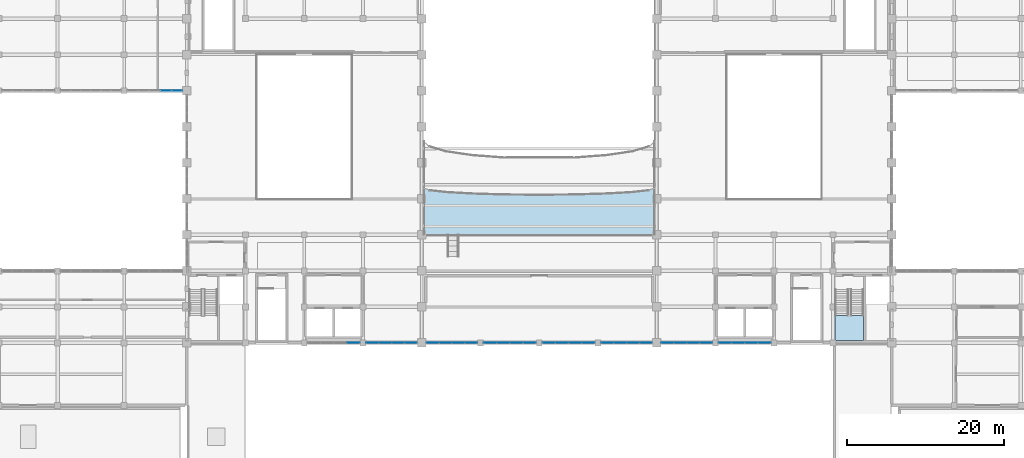
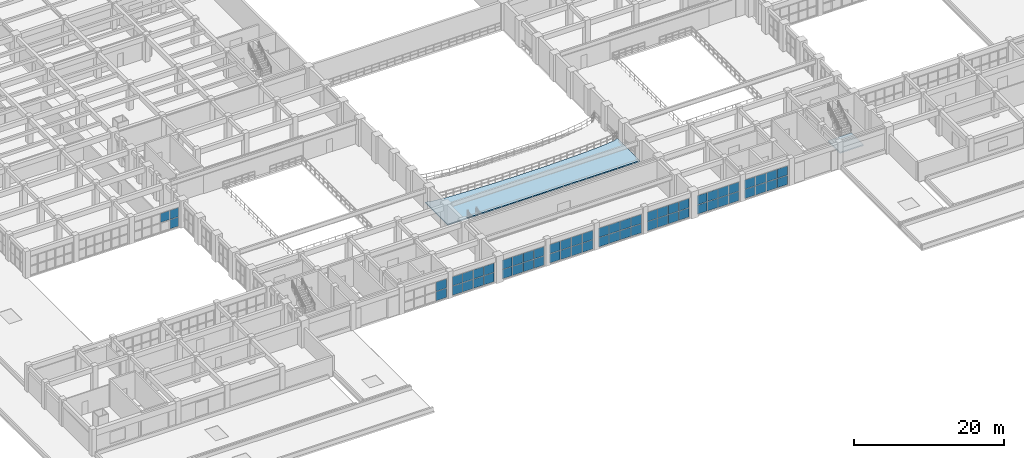
# One storey, part 56 of 90: 61 plates, 2 slabs, 10 elements without a shape of their own.
"""IFC4 building model written with IfcOpenShell, lengths in metres."""

from ifc_helpers import new_model, si_unit, direction, frame, origin, origin_2d, place, context, subcontext, project, spatial, polyline, rectangle, outline, extrude, material, layer, layer_set, type_object, element, aggregate, save


model = new_model("IFC4")

# Units and contexts
model_context = context("Model", 3, precision=1e-05, world=origin(), true_north=direction((0.0, 1.0)))
body_context = subcontext(model_context, "Body", "Model", "MODEL_VIEW")
ifc_project = project(units=[si_unit("LENGTHUNIT", "METRE"), si_unit("AREAUNIT", "SQUARE_METRE"), si_unit("VOLUMEUNIT", "CUBIC_METRE"), si_unit("PLANEANGLEUNIT", "RADIAN"), si_unit("MASSUNIT", "GRAM", prefix="KILO")], contexts=[model_context])

# Site, building, storey
site_placement = place(None, origin())
site = spatial("IfcSite", under=ifc_project, at=site_placement, CompositionType="ELEMENT")
building_placement = place(site_placement, origin())
building = spatial("IfcBuilding", under=site, at=building_placement, Name="Muzn Square Opera House", CompositionType="ELEMENT")
storey_placement = place(building_placement, frame((0.0, 0.0, 9.800048828125)))
storey = spatial("IfcBuildingStorey", under=building, at=storey_placement, Name="L02", CompositionType="ELEMENT", Elevation=9.800048828125)

# Slab
ifc_material_1 = material(Name="Concrete C40/50", Category="concrete")
ifc_layer_1 = layer(ifc_material_1, 0.199951171875, Name="Concrete C40/50", Category="concrete")
ifc_layer_set_1 = layer_set([ifc_layer_1], Name="Concrete C40/50")
slab_type_1 = type_object("IfcSlabType", Name="Auditorium Seating Tier 200mm", PredefinedType="USERDEFINED", material=ifc_layer_set_1)
slab_1_placement = place(storey_placement, frame((0.0, 0.0, 0.52001953125)))
element("IfcSlab", 1, at=slab_1_placement, inside=storey, type_object=slab_type_1, Name="Opera Hall Upper Circle Seating Tier 1", ObjectType="SEATING TIER", PredefinedType="USERDEFINED", context=body_context, shape_type="SweptSolid", body=[
    extrude(outline(polyline([(73.2099609375, 35.800048828125), (102.7900390625, 35.800048828125), (102.7900390625, 41.800048828125), (102.066162109375, 41.537353515625), (99.96533203125, 41.30029296875), (96.693359375, 41.1123046875), (92.5703125, 40.99169921875), (88.0, 40.949951171875), (83.4296875, 40.99169921875), (79.306640625, 41.1123046875), (76.03466796875, 41.30029296875), (73.933837890625, 41.537353515625), (73.2099609375, 41.800048828125), (73.2099609375, 35.800048828125)])), origin(), (0.0, 0.0, 1.0), 0.199951171875),
])

# Curtain wall, plates
ifc_material_2 = material(Name="Low-E laminated acoustic double glazing", Category="glass")
ifc_layer_2 = layer(ifc_material_2, 0.159912109375, Name="Low-E laminated acoustic double glazing", Category="glass")
ifc_layer_set_2 = layer_set([ifc_layer_2], Name="Low-E laminated acoustic double glazing")
curtain_wall_type_1 = type_object("IfcCurtainWallType", Name="Glazed Curtain Wall Forecourt 6750x3150", PredefinedType="USERDEFINED", material=ifc_layer_set_2)
curtain_wall_1_placement = place(storey_placement, origin())
curtain_wall_1 = element("IfcCurtainWall", 2, at=curtain_wall_1_placement, inside=storey, type_object=curtain_wall_type_1, Name="Glazed Curtain Wall CW-L02-011", ObjectType="GLAZED CURTAIN WALL", PredefinedType="USERDEFINED")
ifc_layer_3 = layer(ifc_material_2, 0.028076171875, Name="Low-E laminated acoustic double glazing", Category="glass")
ifc_layer_set_3 = layer_set([ifc_layer_3], Name="Low-E laminated acoustic double glazing")
plate_type = type_object("IfcPlateType", Name="Curtain Wall Acoustic Glazed Panel 28mm", PredefinedType="CURTAIN_PANEL", material=ifc_layer_set_3)
plate_1_placement = place(storey_placement, frame((64.266357421875, 22.0, 0.06005859375), z_axis=(0.0, 0.0, 1.0), x_axis=(1.0, 0.0, 0.0)))
plate_1 = element("IfcPlate", 3, at=plate_1_placement, type_object=plate_type, Name="CW-FC-67x31 panel 4.1", PredefinedType="CURTAIN_PANEL", context=body_context, shape_type="SweptSolid", body=[
    extrude(rectangle(XDim=1.597412109375, YDim=0.028076171875, at=origin_2d()), origin(), (0.0, 0.0, 1.0), 1.485107421875),
])
plate_2_placement = place(storey_placement, frame((64.266357421875, 22.0, 1.60498046875), z_axis=(0.0, 0.0, 1.0), x_axis=(1.0, 0.0, 0.0)))
plate_2 = element("IfcPlate", 4, at=plate_2_placement, type_object=plate_type, Name="CW-FC-67x31 panel 4.2", PredefinedType="CURTAIN_PANEL", context=body_context, shape_type="SweptSolid", body=[
    extrude(rectangle(XDim=1.597412109375, YDim=0.028076171875, at=origin_2d()), origin(), (0.0, 0.0, 1.0), 1.485107421875),
])
aggregate(curtain_wall_1, [plate_1, plate_2])

ifc_layer_4 = layer(ifc_material_2, 0.159912109375, Name="Low-E laminated acoustic double glazing", Category="glass")
ifc_layer_set_4 = layer_set([ifc_layer_4], Name="Low-E laminated acoustic double glazing")
curtain_wall_type_2 = type_object("IfcCurtainWallType", Name="Glazed Curtain Wall Forecourt 6575x3150", PredefinedType="USERDEFINED", material=ifc_layer_set_4)
curtain_wall_2_placement = place(storey_placement, origin())
curtain_wall_2 = element("IfcCurtainWall", 5, at=curtain_wall_2_placement, inside=storey, type_object=curtain_wall_type_2, Name="Glazed Curtain Wall CW-L02-012", ObjectType="GLAZED CURTAIN WALL", PredefinedType="USERDEFINED")
plate_3_placement = place(storey_placement, frame((66.7119140625, 22.0, 0.06005859375), z_axis=(0.0, 0.0, 1.0), x_axis=(1.0, 0.0, 0.0)))
plate_3 = element("IfcPlate", 6, at=plate_3_placement, type_object=plate_type, Name="CW-FC-65x31 panel 1.1", PredefinedType="CURTAIN_PANEL", context=body_context, shape_type="SweptSolid", body=[
    extrude(rectangle(XDim=1.5537109375, YDim=0.028076171875, at=origin_2d()), origin(), (0.0, 0.0, 1.0), 1.485107421875),
])
plate_4_placement = place(storey_placement, frame((66.7119140625, 22.0, 1.60498046875), z_axis=(0.0, 0.0, 1.0), x_axis=(1.0, 0.0, 0.0)))
plate_4 = element("IfcPlate", 7, at=plate_4_placement, type_object=plate_type, Name="CW-FC-65x31 panel 1.2", PredefinedType="CURTAIN_PANEL", context=body_context, shape_type="SweptSolid", body=[
    extrude(rectangle(XDim=1.5537109375, YDim=0.028076171875, at=origin_2d()), origin(), (0.0, 0.0, 1.0), 1.485107421875),
])
plate_5_placement = place(storey_placement, frame((68.340576171875, 22.0, 0.06005859375), z_axis=(0.0, 0.0, 1.0), x_axis=(1.0, 0.0, 0.0)))
plate_5 = element("IfcPlate", 8, at=plate_5_placement, type_object=plate_type, Name="CW-FC-65x31 panel 2.1", PredefinedType="CURTAIN_PANEL", context=body_context, shape_type="SweptSolid", body=[
    extrude(rectangle(XDim=1.583740234375, YDim=0.028076171875, at=origin_2d()), origin(), (0.0, 0.0, 1.0), 1.485107421875),
])
plate_6_placement = place(storey_placement, frame((68.340576171875, 22.0, 1.60498046875), z_axis=(0.0, 0.0, 1.0), x_axis=(1.0, 0.0, 0.0)))
plate_6 = element("IfcPlate", 9, at=plate_6_placement, type_object=plate_type, Name="CW-FC-65x31 panel 2.2", PredefinedType="CURTAIN_PANEL", context=body_context, shape_type="SweptSolid", body=[
    extrude(rectangle(XDim=1.583740234375, YDim=0.028076171875, at=origin_2d()), origin(), (0.0, 0.0, 1.0), 1.485107421875),
])
plate_7_placement = place(storey_placement, frame((69.984375, 22.0, 0.06005859375), z_axis=(0.0, 0.0, 1.0), x_axis=(1.0, 0.0, 0.0)))
plate_7 = element("IfcPlate", 10, at=plate_7_placement, type_object=plate_type, Name="CW-FC-65x31 panel 3.1", PredefinedType="CURTAIN_PANEL", context=body_context, shape_type="SweptSolid", body=[
    extrude(rectangle(XDim=1.583740234375, YDim=0.028076171875, at=origin_2d()), origin(), (0.0, 0.0, 1.0), 1.485107421875),
])
plate_8_placement = place(storey_placement, frame((69.984375, 22.0, 1.60498046875), z_axis=(0.0, 0.0, 1.0), x_axis=(1.0, 0.0, 0.0)))
plate_8 = element("IfcPlate", 11, at=plate_8_placement, type_object=plate_type, Name="CW-FC-65x31 panel 3.2", PredefinedType="CURTAIN_PANEL", context=body_context, shape_type="SweptSolid", body=[
    extrude(rectangle(XDim=1.583740234375, YDim=0.028076171875, at=origin_2d()), origin(), (0.0, 0.0, 1.0), 1.485107421875),
])
plate_9_placement = place(storey_placement, frame((71.613037109375, 22.0, 0.06005859375), z_axis=(0.0, 0.0, 1.0), x_axis=(1.0, 0.0, 0.0)))
plate_9 = element("IfcPlate", 12, at=plate_9_placement, type_object=plate_type, Name="CW-FC-65x31 panel 4.1", PredefinedType="CURTAIN_PANEL", context=body_context, shape_type="SweptSolid", body=[
    extrude(rectangle(XDim=1.5537109375, YDim=0.028076171875, at=origin_2d()), origin(), (0.0, 0.0, 1.0), 1.485107421875),
])
plate_10_placement = place(storey_placement, frame((71.613037109375, 22.0, 1.60498046875), z_axis=(0.0, 0.0, 1.0), x_axis=(1.0, 0.0, 0.0)))
plate_10 = element("IfcPlate", 13, at=plate_10_placement, type_object=plate_type, Name="CW-FC-65x31 panel 4.2", PredefinedType="CURTAIN_PANEL", context=body_context, shape_type="SweptSolid", body=[
    extrude(rectangle(XDim=1.5537109375, YDim=0.028076171875, at=origin_2d()), origin(), (0.0, 0.0, 1.0), 1.485107421875),
])
aggregate(curtain_wall_2, [plate_3, plate_4, plate_5, plate_6, plate_7, plate_8, plate_9, plate_10])

curtain_wall_3_placement = place(storey_placement, origin())
curtain_wall_3 = element("IfcCurtainWall", 14, at=curtain_wall_3_placement, inside=storey, type_object=curtain_wall_type_2, Name="Glazed Curtain Wall CW-L02-013", ObjectType="GLAZED CURTAIN WALL", PredefinedType="USERDEFINED")
plate_11_placement = place(storey_placement, frame((74.386962890625, 22.0, 0.06005859375), z_axis=(0.0, 0.0, 1.0), x_axis=(1.0, 0.0, 0.0)))
plate_11 = element("IfcPlate", 15, at=plate_11_placement, type_object=plate_type, Name="CW-FC-65x31 panel 1.1", PredefinedType="CURTAIN_PANEL", context=body_context, shape_type="SweptSolid", body=[
    extrude(rectangle(XDim=1.5537109375, YDim=0.028076171875, at=origin_2d()), origin(), (0.0, 0.0, 1.0), 1.485107421875),
])
plate_12_placement = place(storey_placement, frame((74.386962890625, 22.0, 1.60498046875), z_axis=(0.0, 0.0, 1.0), x_axis=(1.0, 0.0, 0.0)))
plate_12 = element("IfcPlate", 16, at=plate_12_placement, type_object=plate_type, Name="CW-FC-65x31 panel 1.2", PredefinedType="CURTAIN_PANEL", context=body_context, shape_type="SweptSolid", body=[
    extrude(rectangle(XDim=1.5537109375, YDim=0.028076171875, at=origin_2d()), origin(), (0.0, 0.0, 1.0), 1.485107421875),
])
plate_13_placement = place(storey_placement, frame((76.015625, 22.0, 0.06005859375), z_axis=(0.0, 0.0, 1.0), x_axis=(1.0, 0.0, 0.0)))
plate_13 = element("IfcPlate", 17, at=plate_13_placement, type_object=plate_type, Name="CW-FC-65x31 panel 2.1", PredefinedType="CURTAIN_PANEL", context=body_context, shape_type="SweptSolid", body=[
    extrude(rectangle(XDim=1.583740234375, YDim=0.028076171875, at=origin_2d()), origin(), (0.0, 0.0, 1.0), 1.485107421875),
])
plate_14_placement = place(storey_placement, frame((76.015625, 22.0, 1.60498046875), z_axis=(0.0, 0.0, 1.0), x_axis=(1.0, 0.0, 0.0)))
plate_14 = element("IfcPlate", 18, at=plate_14_placement, type_object=plate_type, Name="CW-FC-65x31 panel 2.2", PredefinedType="CURTAIN_PANEL", context=body_context, shape_type="SweptSolid", body=[
    extrude(rectangle(XDim=1.583740234375, YDim=0.028076171875, at=origin_2d()), origin(), (0.0, 0.0, 1.0), 1.485107421875),
])
plate_15_placement = place(storey_placement, frame((77.659423828125, 22.0, 0.06005859375), z_axis=(0.0, 0.0, 1.0), x_axis=(1.0, 0.0, 0.0)))
plate_15 = element("IfcPlate", 19, at=plate_15_placement, type_object=plate_type, Name="CW-FC-65x31 panel 3.1", PredefinedType="CURTAIN_PANEL", context=body_context, shape_type="SweptSolid", body=[
    extrude(rectangle(XDim=1.583740234375, YDim=0.028076171875, at=origin_2d()), origin(), (0.0, 0.0, 1.0), 1.485107421875),
])
plate_16_placement = place(storey_placement, frame((77.659423828125, 22.0, 1.60498046875), z_axis=(0.0, 0.0, 1.0), x_axis=(1.0, 0.0, 0.0)))
plate_16 = element("IfcPlate", 20, at=plate_16_placement, type_object=plate_type, Name="CW-FC-65x31 panel 3.2", PredefinedType="CURTAIN_PANEL", context=body_context, shape_type="SweptSolid", body=[
    extrude(rectangle(XDim=1.583740234375, YDim=0.028076171875, at=origin_2d()), origin(), (0.0, 0.0, 1.0), 1.485107421875),
])
plate_17_placement = place(storey_placement, frame((79.2880859375, 22.0, 0.06005859375), z_axis=(0.0, 0.0, 1.0), x_axis=(1.0, 0.0, 0.0)))
plate_17 = element("IfcPlate", 21, at=plate_17_placement, type_object=plate_type, Name="CW-FC-65x31 panel 4.1", PredefinedType="CURTAIN_PANEL", context=body_context, shape_type="SweptSolid", body=[
    extrude(rectangle(XDim=1.5537109375, YDim=0.028076171875, at=origin_2d()), origin(), (0.0, 0.0, 1.0), 1.485107421875),
])
plate_18_placement = place(storey_placement, frame((79.2880859375, 22.0, 1.60498046875), z_axis=(0.0, 0.0, 1.0), x_axis=(1.0, 0.0, 0.0)))
plate_18 = element("IfcPlate", 22, at=plate_18_placement, type_object=plate_type, Name="CW-FC-65x31 panel 4.2", PredefinedType="CURTAIN_PANEL", context=body_context, shape_type="SweptSolid", body=[
    extrude(rectangle(XDim=1.5537109375, YDim=0.028076171875, at=origin_2d()), origin(), (0.0, 0.0, 1.0), 1.485107421875),
])
aggregate(curtain_wall_3, [plate_11, plate_12, plate_13, plate_14, plate_15, plate_16, plate_17, plate_18])

curtain_wall_4_placement = place(storey_placement, origin())
curtain_wall_4 = element("IfcCurtainWall", 23, at=curtain_wall_4_placement, inside=storey, type_object=curtain_wall_type_1, Name="Glazed Curtain Wall CW-L02-014", ObjectType="GLAZED CURTAIN WALL", PredefinedType="USERDEFINED")
plate_19_placement = place(storey_placement, frame((81.733642578125, 22.0, 0.06005859375), z_axis=(0.0, 0.0, 1.0), x_axis=(1.0, 0.0, 0.0)))
plate_19 = element("IfcPlate", 24, at=plate_19_placement, type_object=plate_type, Name="CW-FC-67x31 panel 1.1", PredefinedType="CURTAIN_PANEL", context=body_context, shape_type="SweptSolid", body=[
    extrude(rectangle(XDim=1.597412109375, YDim=0.028076171875, at=origin_2d()), origin(), (0.0, 0.0, 1.0), 1.485107421875),
])
plate_20_placement = place(storey_placement, frame((81.733642578125, 22.0, 1.60498046875), z_axis=(0.0, 0.0, 1.0), x_axis=(1.0, 0.0, 0.0)))
plate_20 = element("IfcPlate", 25, at=plate_20_placement, type_object=plate_type, Name="CW-FC-67x31 panel 1.2", PredefinedType="CURTAIN_PANEL", context=body_context, shape_type="SweptSolid", body=[
    extrude(rectangle(XDim=1.597412109375, YDim=0.028076171875, at=origin_2d()), origin(), (0.0, 0.0, 1.0), 1.485107421875),
])
plate_21_placement = place(storey_placement, frame((83.40625, 22.0, 0.06005859375), z_axis=(0.0, 0.0, 1.0), x_axis=(1.0, 0.0, 0.0)))
plate_21 = element("IfcPlate", 26, at=plate_21_placement, type_object=plate_type, Name="CW-FC-67x31 panel 2.1", PredefinedType="CURTAIN_PANEL", context=body_context, shape_type="SweptSolid", body=[
    extrude(rectangle(XDim=1.62744140625, YDim=0.028076171875, at=origin_2d()), origin(), (0.0, 0.0, 1.0), 1.485107421875),
])
plate_22_placement = place(storey_placement, frame((83.40625, 22.0, 1.60498046875), z_axis=(0.0, 0.0, 1.0), x_axis=(1.0, 0.0, 0.0)))
plate_22 = element("IfcPlate", 27, at=plate_22_placement, type_object=plate_type, Name="CW-FC-67x31 panel 2.2", PredefinedType="CURTAIN_PANEL", context=body_context, shape_type="SweptSolid", body=[
    extrude(rectangle(XDim=1.62744140625, YDim=0.028076171875, at=origin_2d()), origin(), (0.0, 0.0, 1.0), 1.485107421875),
])
plate_23_placement = place(storey_placement, frame((85.09375, 22.0, 0.06005859375), z_axis=(0.0, 0.0, 1.0), x_axis=(1.0, 0.0, 0.0)))
plate_23 = element("IfcPlate", 28, at=plate_23_placement, type_object=plate_type, Name="CW-FC-67x31 panel 3.1", PredefinedType="CURTAIN_PANEL", context=body_context, shape_type="SweptSolid", body=[
    extrude(rectangle(XDim=1.62744140625, YDim=0.028076171875, at=origin_2d()), origin(), (0.0, 0.0, 1.0), 1.485107421875),
])
plate_24_placement = place(storey_placement, frame((85.09375, 22.0, 1.60498046875), z_axis=(0.0, 0.0, 1.0), x_axis=(1.0, 0.0, 0.0)))
plate_24 = element("IfcPlate", 29, at=plate_24_placement, type_object=plate_type, Name="CW-FC-67x31 panel 3.2", PredefinedType="CURTAIN_PANEL", context=body_context, shape_type="SweptSolid", body=[
    extrude(rectangle(XDim=1.62744140625, YDim=0.028076171875, at=origin_2d()), origin(), (0.0, 0.0, 1.0), 1.485107421875),
])
plate_25_placement = place(storey_placement, frame((86.766357421875, 22.0, 0.06005859375), z_axis=(0.0, 0.0, 1.0), x_axis=(1.0, 0.0, 0.0)))
plate_25 = element("IfcPlate", 30, at=plate_25_placement, type_object=plate_type, Name="CW-FC-67x31 panel 4.1", PredefinedType="CURTAIN_PANEL", context=body_context, shape_type="SweptSolid", body=[
    extrude(rectangle(XDim=1.597412109375, YDim=0.028076171875, at=origin_2d()), origin(), (0.0, 0.0, 1.0), 1.485107421875),
])
plate_26_placement = place(storey_placement, frame((86.766357421875, 22.0, 1.60498046875), z_axis=(0.0, 0.0, 1.0), x_axis=(1.0, 0.0, 0.0)))
plate_26 = element("IfcPlate", 31, at=plate_26_placement, type_object=plate_type, Name="CW-FC-67x31 panel 4.2", PredefinedType="CURTAIN_PANEL", context=body_context, shape_type="SweptSolid", body=[
    extrude(rectangle(XDim=1.597412109375, YDim=0.028076171875, at=origin_2d()), origin(), (0.0, 0.0, 1.0), 1.485107421875),
])
aggregate(curtain_wall_4, [plate_19, plate_20, plate_21, plate_22, plate_23, plate_24, plate_25, plate_26])

curtain_wall_5_placement = place(storey_placement, origin())
curtain_wall_5 = element("IfcCurtainWall", 32, at=curtain_wall_5_placement, inside=storey, type_object=curtain_wall_type_1, Name="Glazed Curtain Wall CW-L02-015", ObjectType="GLAZED CURTAIN WALL", PredefinedType="USERDEFINED")
plate_27_placement = place(storey_placement, frame((89.233642578125, 22.0, 0.06005859375), z_axis=(0.0, 0.0, 1.0), x_axis=(1.0, 0.0, 0.0)))
plate_27 = element("IfcPlate", 33, at=plate_27_placement, type_object=plate_type, Name="CW-FC-67x31 panel 1.1", PredefinedType="CURTAIN_PANEL", context=body_context, shape_type="SweptSolid", body=[
    extrude(rectangle(XDim=1.597412109375, YDim=0.028076171875, at=origin_2d()), origin(), (0.0, 0.0, 1.0), 1.485107421875),
])
plate_28_placement = place(storey_placement, frame((89.233642578125, 22.0, 1.60498046875), z_axis=(0.0, 0.0, 1.0), x_axis=(1.0, 0.0, 0.0)))
plate_28 = element("IfcPlate", 34, at=plate_28_placement, type_object=plate_type, Name="CW-FC-67x31 panel 1.2", PredefinedType="CURTAIN_PANEL", context=body_context, shape_type="SweptSolid", body=[
    extrude(rectangle(XDim=1.597412109375, YDim=0.028076171875, at=origin_2d()), origin(), (0.0, 0.0, 1.0), 1.485107421875),
])
plate_29_placement = place(storey_placement, frame((90.90625, 22.0, 0.06005859375), z_axis=(0.0, 0.0, 1.0), x_axis=(1.0, 0.0, 0.0)))
plate_29 = element("IfcPlate", 35, at=plate_29_placement, type_object=plate_type, Name="CW-FC-67x31 panel 2.1", PredefinedType="CURTAIN_PANEL", context=body_context, shape_type="SweptSolid", body=[
    extrude(rectangle(XDim=1.62744140625, YDim=0.028076171875, at=origin_2d()), origin(), (0.0, 0.0, 1.0), 1.485107421875),
])
plate_30_placement = place(storey_placement, frame((90.90625, 22.0, 1.60498046875), z_axis=(0.0, 0.0, 1.0), x_axis=(1.0, 0.0, 0.0)))
plate_30 = element("IfcPlate", 36, at=plate_30_placement, type_object=plate_type, Name="CW-FC-67x31 panel 2.2", PredefinedType="CURTAIN_PANEL", context=body_context, shape_type="SweptSolid", body=[
    extrude(rectangle(XDim=1.62744140625, YDim=0.028076171875, at=origin_2d()), origin(), (0.0, 0.0, 1.0), 1.485107421875),
])
plate_31_placement = place(storey_placement, frame((92.59375, 22.0, 0.06005859375), z_axis=(0.0, 0.0, 1.0), x_axis=(1.0, 0.0, 0.0)))
plate_31 = element("IfcPlate", 37, at=plate_31_placement, type_object=plate_type, Name="CW-FC-67x31 panel 3.1", PredefinedType="CURTAIN_PANEL", context=body_context, shape_type="SweptSolid", body=[
    extrude(rectangle(XDim=1.62744140625, YDim=0.028076171875, at=origin_2d()), origin(), (0.0, 0.0, 1.0), 1.485107421875),
])
plate_32_placement = place(storey_placement, frame((92.59375, 22.0, 1.60498046875), z_axis=(0.0, 0.0, 1.0), x_axis=(1.0, 0.0, 0.0)))
plate_32 = element("IfcPlate", 38, at=plate_32_placement, type_object=plate_type, Name="CW-FC-67x31 panel 3.2", PredefinedType="CURTAIN_PANEL", context=body_context, shape_type="SweptSolid", body=[
    extrude(rectangle(XDim=1.62744140625, YDim=0.028076171875, at=origin_2d()), origin(), (0.0, 0.0, 1.0), 1.485107421875),
])
plate_33_placement = place(storey_placement, frame((94.266357421875, 22.0, 0.06005859375), z_axis=(0.0, 0.0, 1.0), x_axis=(1.0, 0.0, 0.0)))
plate_33 = element("IfcPlate", 39, at=plate_33_placement, type_object=plate_type, Name="CW-FC-67x31 panel 4.1", PredefinedType="CURTAIN_PANEL", context=body_context, shape_type="SweptSolid", body=[
    extrude(rectangle(XDim=1.597412109375, YDim=0.028076171875, at=origin_2d()), origin(), (0.0, 0.0, 1.0), 1.485107421875),
])
plate_34_placement = place(storey_placement, frame((94.266357421875, 22.0, 1.60498046875), z_axis=(0.0, 0.0, 1.0), x_axis=(1.0, 0.0, 0.0)))
plate_34 = element("IfcPlate", 40, at=plate_34_placement, type_object=plate_type, Name="CW-FC-67x31 panel 4.2", PredefinedType="CURTAIN_PANEL", context=body_context, shape_type="SweptSolid", body=[
    extrude(rectangle(XDim=1.597412109375, YDim=0.028076171875, at=origin_2d()), origin(), (0.0, 0.0, 1.0), 1.485107421875),
])
aggregate(curtain_wall_5, [plate_27, plate_28, plate_29, plate_30, plate_31, plate_32, plate_33, plate_34])

curtain_wall_6_placement = place(storey_placement, origin())
curtain_wall_6 = element("IfcCurtainWall", 41, at=curtain_wall_6_placement, inside=storey, type_object=curtain_wall_type_2, Name="Glazed Curtain Wall CW-L02-016", ObjectType="GLAZED CURTAIN WALL", PredefinedType="USERDEFINED")
plate_35_placement = place(storey_placement, frame((96.7119140625, 22.0, 0.06005859375), z_axis=(0.0, 0.0, 1.0), x_axis=(1.0, 0.0, 0.0)))
plate_35 = element("IfcPlate", 42, at=plate_35_placement, type_object=plate_type, Name="CW-FC-65x31 panel 1.1", PredefinedType="CURTAIN_PANEL", context=body_context, shape_type="SweptSolid", body=[
    extrude(rectangle(XDim=1.5537109375, YDim=0.028076171875, at=origin_2d()), origin(), (0.0, 0.0, 1.0), 1.485107421875),
])
plate_36_placement = place(storey_placement, frame((96.7119140625, 22.0, 1.60498046875), z_axis=(0.0, 0.0, 1.0), x_axis=(1.0, 0.0, 0.0)))
plate_36 = element("IfcPlate", 43, at=plate_36_placement, type_object=plate_type, Name="CW-FC-65x31 panel 1.2", PredefinedType="CURTAIN_PANEL", context=body_context, shape_type="SweptSolid", body=[
    extrude(rectangle(XDim=1.5537109375, YDim=0.028076171875, at=origin_2d()), origin(), (0.0, 0.0, 1.0), 1.485107421875),
])
plate_37_placement = place(storey_placement, frame((98.340576171875, 22.0, 0.06005859375), z_axis=(0.0, 0.0, 1.0), x_axis=(1.0, 0.0, 0.0)))
plate_37 = element("IfcPlate", 44, at=plate_37_placement, type_object=plate_type, Name="CW-FC-65x31 panel 2.1", PredefinedType="CURTAIN_PANEL", context=body_context, shape_type="SweptSolid", body=[
    extrude(rectangle(XDim=1.583740234375, YDim=0.028076171875, at=origin_2d()), origin(), (0.0, 0.0, 1.0), 1.485107421875),
])
plate_38_placement = place(storey_placement, frame((98.340576171875, 22.0, 1.60498046875), z_axis=(0.0, 0.0, 1.0), x_axis=(1.0, 0.0, 0.0)))
plate_38 = element("IfcPlate", 45, at=plate_38_placement, type_object=plate_type, Name="CW-FC-65x31 panel 2.2", PredefinedType="CURTAIN_PANEL", context=body_context, shape_type="SweptSolid", body=[
    extrude(rectangle(XDim=1.583740234375, YDim=0.028076171875, at=origin_2d()), origin(), (0.0, 0.0, 1.0), 1.485107421875),
])
plate_39_placement = place(storey_placement, frame((99.984375, 22.0, 0.06005859375), z_axis=(0.0, 0.0, 1.0), x_axis=(1.0, 0.0, 0.0)))
plate_39 = element("IfcPlate", 46, at=plate_39_placement, type_object=plate_type, Name="CW-FC-65x31 panel 3.1", PredefinedType="CURTAIN_PANEL", context=body_context, shape_type="SweptSolid", body=[
    extrude(rectangle(XDim=1.583740234375, YDim=0.028076171875, at=origin_2d()), origin(), (0.0, 0.0, 1.0), 1.485107421875),
])
plate_40_placement = place(storey_placement, frame((99.984375, 22.0, 1.60498046875), z_axis=(0.0, 0.0, 1.0), x_axis=(1.0, 0.0, 0.0)))
plate_40 = element("IfcPlate", 47, at=plate_40_placement, type_object=plate_type, Name="CW-FC-65x31 panel 3.2", PredefinedType="CURTAIN_PANEL", context=body_context, shape_type="SweptSolid", body=[
    extrude(rectangle(XDim=1.583740234375, YDim=0.028076171875, at=origin_2d()), origin(), (0.0, 0.0, 1.0), 1.485107421875),
])
plate_41_placement = place(storey_placement, frame((101.613037109375, 22.0, 0.06005859375), z_axis=(0.0, 0.0, 1.0), x_axis=(1.0, 0.0, 0.0)))
plate_41 = element("IfcPlate", 48, at=plate_41_placement, type_object=plate_type, Name="CW-FC-65x31 panel 4.1", PredefinedType="CURTAIN_PANEL", context=body_context, shape_type="SweptSolid", body=[
    extrude(rectangle(XDim=1.5537109375, YDim=0.028076171875, at=origin_2d()), origin(), (0.0, 0.0, 1.0), 1.485107421875),
])
plate_42_placement = place(storey_placement, frame((101.613037109375, 22.0, 1.60498046875), z_axis=(0.0, 0.0, 1.0), x_axis=(1.0, 0.0, 0.0)))
plate_42 = element("IfcPlate", 49, at=plate_42_placement, type_object=plate_type, Name="CW-FC-65x31 panel 4.2", PredefinedType="CURTAIN_PANEL", context=body_context, shape_type="SweptSolid", body=[
    extrude(rectangle(XDim=1.5537109375, YDim=0.028076171875, at=origin_2d()), origin(), (0.0, 0.0, 1.0), 1.485107421875),
])
aggregate(curtain_wall_6, [plate_35, plate_36, plate_37, plate_38, plate_39, plate_40, plate_41, plate_42])

curtain_wall_7_placement = place(storey_placement, origin())
curtain_wall_7 = element("IfcCurtainWall", 50, at=curtain_wall_7_placement, inside=storey, type_object=curtain_wall_type_2, Name="Glazed Curtain Wall CW-L02-017", ObjectType="GLAZED CURTAIN WALL", PredefinedType="USERDEFINED")
plate_43_placement = place(storey_placement, frame((104.386962890625, 22.0, 0.06005859375), z_axis=(0.0, 0.0, 1.0), x_axis=(1.0, 0.0, 0.0)))
plate_43 = element("IfcPlate", 51, at=plate_43_placement, type_object=plate_type, Name="CW-FC-65x31 panel 1.1", PredefinedType="CURTAIN_PANEL", context=body_context, shape_type="SweptSolid", body=[
    extrude(rectangle(XDim=1.5537109375, YDim=0.028076171875, at=origin_2d()), origin(), (0.0, 0.0, 1.0), 1.485107421875),
])
plate_44_placement = place(storey_placement, frame((104.386962890625, 22.0, 1.60498046875), z_axis=(0.0, 0.0, 1.0), x_axis=(1.0, 0.0, 0.0)))
plate_44 = element("IfcPlate", 52, at=plate_44_placement, type_object=plate_type, Name="CW-FC-65x31 panel 1.2", PredefinedType="CURTAIN_PANEL", context=body_context, shape_type="SweptSolid", body=[
    extrude(rectangle(XDim=1.5537109375, YDim=0.028076171875, at=origin_2d()), origin(), (0.0, 0.0, 1.0), 1.485107421875),
])
plate_45_placement = place(storey_placement, frame((106.015625, 22.0, 0.06005859375), z_axis=(0.0, 0.0, 1.0), x_axis=(1.0, 0.0, 0.0)))
plate_45 = element("IfcPlate", 53, at=plate_45_placement, type_object=plate_type, Name="CW-FC-65x31 panel 2.1", PredefinedType="CURTAIN_PANEL", context=body_context, shape_type="SweptSolid", body=[
    extrude(rectangle(XDim=1.583740234375, YDim=0.028076171875, at=origin_2d()), origin(), (0.0, 0.0, 1.0), 1.485107421875),
])
plate_46_placement = place(storey_placement, frame((106.015625, 22.0, 1.60498046875), z_axis=(0.0, 0.0, 1.0), x_axis=(1.0, 0.0, 0.0)))
plate_46 = element("IfcPlate", 54, at=plate_46_placement, type_object=plate_type, Name="CW-FC-65x31 panel 2.2", PredefinedType="CURTAIN_PANEL", context=body_context, shape_type="SweptSolid", body=[
    extrude(rectangle(XDim=1.583740234375, YDim=0.028076171875, at=origin_2d()), origin(), (0.0, 0.0, 1.0), 1.485107421875),
])
plate_47_placement = place(storey_placement, frame((107.659423828125, 22.0, 0.06005859375), z_axis=(0.0, 0.0, 1.0), x_axis=(1.0, 0.0, 0.0)))
plate_47 = element("IfcPlate", 55, at=plate_47_placement, type_object=plate_type, Name="CW-FC-65x31 panel 3.1", PredefinedType="CURTAIN_PANEL", context=body_context, shape_type="SweptSolid", body=[
    extrude(rectangle(XDim=1.583740234375, YDim=0.028076171875, at=origin_2d()), origin(), (0.0, 0.0, 1.0), 1.485107421875),
])
plate_48_placement = place(storey_placement, frame((107.659423828125, 22.0, 1.60498046875), z_axis=(0.0, 0.0, 1.0), x_axis=(1.0, 0.0, 0.0)))
plate_48 = element("IfcPlate", 56, at=plate_48_placement, type_object=plate_type, Name="CW-FC-65x31 panel 3.2", PredefinedType="CURTAIN_PANEL", context=body_context, shape_type="SweptSolid", body=[
    extrude(rectangle(XDim=1.583740234375, YDim=0.028076171875, at=origin_2d()), origin(), (0.0, 0.0, 1.0), 1.485107421875),
])
plate_49_placement = place(storey_placement, frame((109.2880859375, 22.0, 0.06005859375), z_axis=(0.0, 0.0, 1.0), x_axis=(1.0, 0.0, 0.0)))
plate_49 = element("IfcPlate", 57, at=plate_49_placement, type_object=plate_type, Name="CW-FC-65x31 panel 4.1", PredefinedType="CURTAIN_PANEL", context=body_context, shape_type="SweptSolid", body=[
    extrude(rectangle(XDim=1.5537109375, YDim=0.028076171875, at=origin_2d()), origin(), (0.0, 0.0, 1.0), 1.485107421875),
])
plate_50_placement = place(storey_placement, frame((109.2880859375, 22.0, 1.60498046875), z_axis=(0.0, 0.0, 1.0), x_axis=(1.0, 0.0, 0.0)))
plate_50 = element("IfcPlate", 58, at=plate_50_placement, type_object=plate_type, Name="CW-FC-65x31 panel 4.2", PredefinedType="CURTAIN_PANEL", context=body_context, shape_type="SweptSolid", body=[
    extrude(rectangle(XDim=1.5537109375, YDim=0.028076171875, at=origin_2d()), origin(), (0.0, 0.0, 1.0), 1.485107421875),
])
aggregate(curtain_wall_7, [plate_43, plate_44, plate_45, plate_46, plate_47, plate_48, plate_49, plate_50])

curtain_wall_8_placement = place(storey_placement, origin())
curtain_wall_8 = element("IfcCurtainWall", 59, at=curtain_wall_8_placement, inside=storey, type_object=curtain_wall_type_1, Name="Glazed Curtain Wall CW-L02-018", ObjectType="GLAZED CURTAIN WALL", PredefinedType="USERDEFINED")
plate_51_placement = place(storey_placement, frame((111.733642578125, 22.0, 0.06005859375), z_axis=(0.0, 0.0, 1.0), x_axis=(1.0, 0.0, 0.0)))
plate_51 = element("IfcPlate", 60, at=plate_51_placement, type_object=plate_type, Name="CW-FC-67x31 panel 1.1", PredefinedType="CURTAIN_PANEL", context=body_context, shape_type="SweptSolid", body=[
    extrude(rectangle(XDim=1.597412109375, YDim=0.028076171875, at=origin_2d()), origin(), (0.0, 0.0, 1.0), 1.485107421875),
])
plate_52_placement = place(storey_placement, frame((111.733642578125, 22.0, 1.60498046875), z_axis=(0.0, 0.0, 1.0), x_axis=(1.0, 0.0, 0.0)))
plate_52 = element("IfcPlate", 61, at=plate_52_placement, type_object=plate_type, Name="CW-FC-67x31 panel 1.2", PredefinedType="CURTAIN_PANEL", context=body_context, shape_type="SweptSolid", body=[
    extrude(rectangle(XDim=1.597412109375, YDim=0.028076171875, at=origin_2d()), origin(), (0.0, 0.0, 1.0), 1.485107421875),
])
plate_53_placement = place(storey_placement, frame((113.40625, 22.0, 0.06005859375), z_axis=(0.0, 0.0, 1.0), x_axis=(1.0, 0.0, 0.0)))
plate_53 = element("IfcPlate", 62, at=plate_53_placement, type_object=plate_type, Name="CW-FC-67x31 panel 2.1", PredefinedType="CURTAIN_PANEL", context=body_context, shape_type="SweptSolid", body=[
    extrude(rectangle(XDim=1.62744140625, YDim=0.028076171875, at=origin_2d()), origin(), (0.0, 0.0, 1.0), 1.485107421875),
])
plate_54_placement = place(storey_placement, frame((113.40625, 22.0, 1.60498046875), z_axis=(0.0, 0.0, 1.0), x_axis=(1.0, 0.0, 0.0)))
plate_54 = element("IfcPlate", 63, at=plate_54_placement, type_object=plate_type, Name="CW-FC-67x31 panel 2.2", PredefinedType="CURTAIN_PANEL", context=body_context, shape_type="SweptSolid", body=[
    extrude(rectangle(XDim=1.62744140625, YDim=0.028076171875, at=origin_2d()), origin(), (0.0, 0.0, 1.0), 1.485107421875),
])
plate_55_placement = place(storey_placement, frame((115.09375, 22.0, 0.06005859375), z_axis=(0.0, 0.0, 1.0), x_axis=(1.0, 0.0, 0.0)))
plate_55 = element("IfcPlate", 64, at=plate_55_placement, type_object=plate_type, Name="CW-FC-67x31 panel 3.1", PredefinedType="CURTAIN_PANEL", context=body_context, shape_type="SweptSolid", body=[
    extrude(rectangle(XDim=1.62744140625, YDim=0.028076171875, at=origin_2d()), origin(), (0.0, 0.0, 1.0), 1.485107421875),
])
plate_56_placement = place(storey_placement, frame((115.09375, 22.0, 1.60498046875), z_axis=(0.0, 0.0, 1.0), x_axis=(1.0, 0.0, 0.0)))
plate_56 = element("IfcPlate", 65, at=plate_56_placement, type_object=plate_type, Name="CW-FC-67x31 panel 3.2", PredefinedType="CURTAIN_PANEL", context=body_context, shape_type="SweptSolid", body=[
    extrude(rectangle(XDim=1.62744140625, YDim=0.028076171875, at=origin_2d()), origin(), (0.0, 0.0, 1.0), 1.485107421875),
])
plate_57_placement = place(storey_placement, frame((116.766357421875, 22.0, 0.06005859375), z_axis=(0.0, 0.0, 1.0), x_axis=(1.0, 0.0, 0.0)))
plate_57 = element("IfcPlate", 66, at=plate_57_placement, type_object=plate_type, Name="CW-FC-67x31 panel 4.1", PredefinedType="CURTAIN_PANEL", context=body_context, shape_type="SweptSolid", body=[
    extrude(rectangle(XDim=1.597412109375, YDim=0.028076171875, at=origin_2d()), origin(), (0.0, 0.0, 1.0), 1.485107421875),
])
plate_58_placement = place(storey_placement, frame((116.766357421875, 22.0, 1.60498046875), z_axis=(0.0, 0.0, 1.0), x_axis=(1.0, 0.0, 0.0)))
plate_58 = element("IfcPlate", 67, at=plate_58_placement, type_object=plate_type, Name="CW-FC-67x31 panel 4.2", PredefinedType="CURTAIN_PANEL", context=body_context, shape_type="SweptSolid", body=[
    extrude(rectangle(XDim=1.597412109375, YDim=0.028076171875, at=origin_2d()), origin(), (0.0, 0.0, 1.0), 1.485107421875),
])
aggregate(curtain_wall_8, [plate_51, plate_52, plate_53, plate_54, plate_55, plate_56, plate_57, plate_58])

ifc_layer_5 = layer(ifc_material_2, 0.159912109375, Name="Low-E laminated acoustic double glazing", Category="glass")
ifc_layer_set_5 = layer_set([ifc_layer_5], Name="Low-E laminated acoustic double glazing")
curtain_wall_type_3 = type_object("IfcCurtainWallType", Name="Glazed Curtain Wall WestCloisterN 7075x3150", PredefinedType="USERDEFINED", material=ifc_layer_set_5)
curtain_wall_9_placement = place(storey_placement, origin())
curtain_wall_9 = element("IfcCurtainWall", 68, at=curtain_wall_9_placement, inside=storey, type_object=curtain_wall_type_3, Name="Glazed Curtain Wall CW-L02-098", ObjectType="GLAZED CURTAIN WALL", PredefinedType="USERDEFINED")
plate_59_placement = place(storey_placement, frame((40.327392578125, 54.199951171875, 1.60498046875), z_axis=(0.0, 0.0, 1.0), x_axis=(1.0, 0.0, 0.0)))
plate_59 = element("IfcPlate", 69, at=plate_59_placement, type_object=plate_type, Name="CW-WCN-70x31 panel 4.2", PredefinedType="CURTAIN_PANEL", context=body_context, shape_type="SweptSolid", body=[
    extrude(rectangle(XDim=1.35498046875, YDim=0.028076171875, at=origin_2d()), origin(), (0.0, 0.0, 1.0), 1.485107421875),
])
plate_60_placement = place(storey_placement, frame((41.7275390625, 54.199951171875, 0.06005859375), z_axis=(0.0, 0.0, 1.0), x_axis=(1.0, 0.0, 0.0)))
plate_60 = element("IfcPlate", 70, at=plate_60_placement, type_object=plate_type, Name="CW-WCN-70x31 panel 5.1", PredefinedType="CURTAIN_PANEL", context=body_context, shape_type="SweptSolid", body=[
    extrude(rectangle(XDim=1.324951171875, YDim=0.028076171875, at=origin_2d()), origin(), (0.0, 0.0, 1.0), 1.485107421875),
])
plate_61_placement = place(storey_placement, frame((41.7275390625, 54.199951171875, 1.60498046875), z_axis=(0.0, 0.0, 1.0), x_axis=(1.0, 0.0, 0.0)))
plate_61 = element("IfcPlate", 71, at=plate_61_placement, type_object=plate_type, Name="CW-WCN-70x31 panel 5.2", PredefinedType="CURTAIN_PANEL", context=body_context, shape_type="SweptSolid", body=[
    extrude(rectangle(XDim=1.324951171875, YDim=0.028076171875, at=origin_2d()), origin(), (0.0, 0.0, 1.0), 1.485107421875),
])
aggregate(curtain_wall_9, [plate_59, plate_60, plate_61])

# Stair, slab
stair_type = type_object("IfcStairType", Name="Core Escape Dogleg Stair", PredefinedType="HALF_TURN_STAIR", material=ifc_material_1)
stair_placement = place(storey_placement, origin())
stair = element("IfcStair", 72, at=stair_placement, inside=storey, type_object=stair_type, Name="L02 Escape Stair ST-4", PredefinedType="HALF_TURN_STAIR")
ifc_layer_6 = layer(ifc_material_1, 0.199951171875, Name="Concrete C40/50", Category="concrete")
ifc_layer_set_6 = layer_set([ifc_layer_6], Name="Concrete C40/50")
slab_type_2 = type_object("IfcSlabType", Name="Stair Half Landing 200mm", PredefinedType="LANDING", material=ifc_layer_set_6)
slab_2_placement = place(storey_placement, frame((0.0, 0.0, 2.0)))
slab_2 = element("IfcSlab", 73, at=slab_2_placement, type_object=slab_type_2, Name="ST-4 landing 1", PredefinedType="LANDING", context=body_context, shape_type="SweptSolid", body=[
    extrude(outline(polyline([(125.800048828125, 25.47998046875), (125.800048828125, 22.300048828125), (129.39990234375, 22.300048828125), (129.39990234375, 25.47998046875), (125.800048828125, 25.47998046875)])), origin(), (0.0, 0.0, 1.0), 0.199951171875),
])
aggregate(stair, [slab_2])

save(model, "model.ifc")
